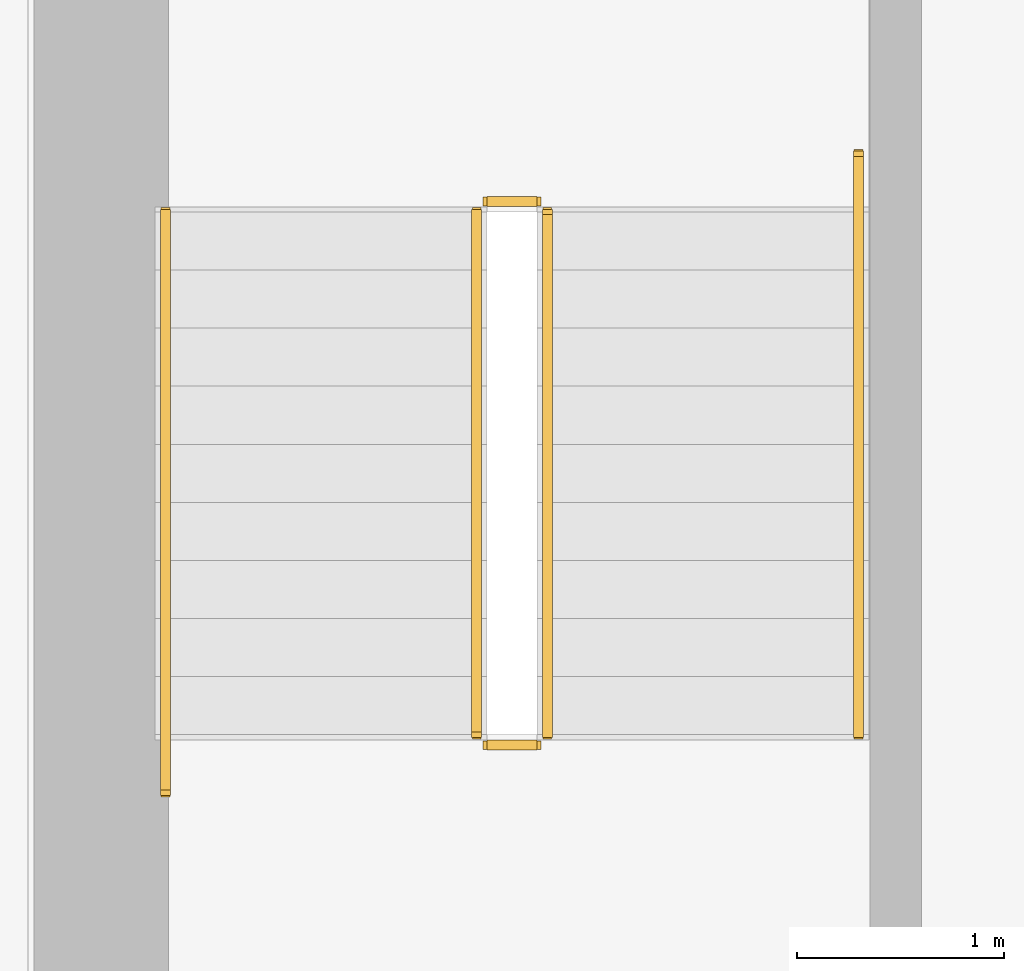
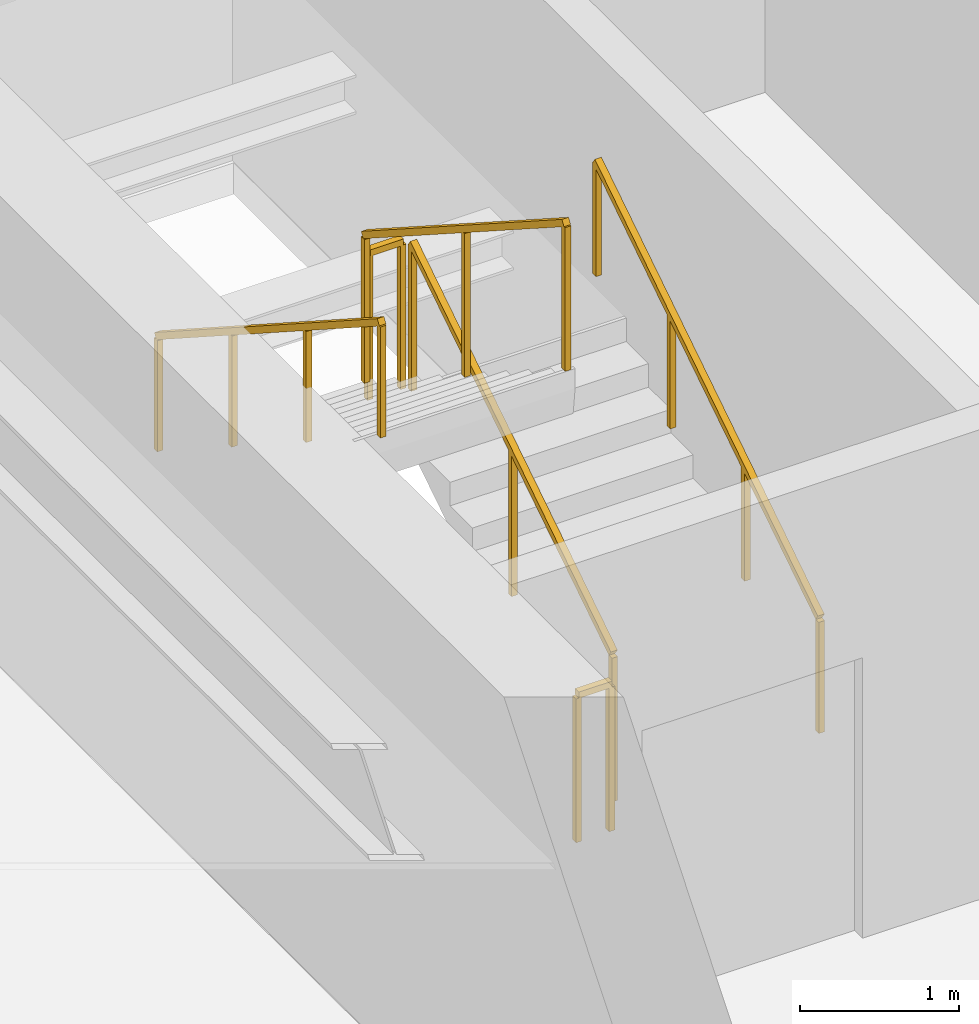
# One storey, part 31 of 34: 6 railings.
"""IFC4 building model written with IfcOpenShell, lengths in metres."""

import ifcopenshell
import ifcopenshell.guid

model = None  # the IFC model being written
_history = None  # IfcOwnerHistory: only IFC2X3 demands one
_inside = {}  # id of a spatial element -> (the spatial element, [elements in it])
_under = {}  # id of a project, library or spatial element -> (it, [spatial elements below it])
_declared = {}  # id of a project -> (the project, [libraries it declares])
_typed = {}  # id of a type object -> (the type object, [elements of that type])
_made_of = {}  # id of a material, layer set ... -> (it, [elements and type objects made of it])


def new_model(schema):
    """Start an empty IFC model of exactly this schema.

    Asked for "IFC4X3", IfcOpenShell would pick the latest addendum, in which some entities
    have other attributes; the version numbers below select the first issue.
    IFC2X3 requires an IfcOwnerHistory on every rooted entity: one is made here for all.
    """
    global model, _history
    if schema == "IFC4X3":
        model = ifcopenshell.file(schema_version=(4, 3, 0, 0))
    else:
        model = ifcopenshell.file(schema=schema)
    _inside.clear()
    _under.clear()
    _declared.clear()
    _typed.clear()
    _made_of.clear()
    _history = None
    if model.schema == "IFC2X3":
        org = make("IfcOrganization", Name="unknown")
        user = make(
            "IfcPersonAndOrganization",
            ThePerson=make("IfcPerson", FamilyName="unknown"),
            TheOrganization=org,
        )
        app = make(
            "IfcApplication",
            ApplicationDeveloper=org,
            Version="unknown",
            ApplicationFullName="unknown",
            ApplicationIdentifier="unknown",
        )
        _history = make(
            "IfcOwnerHistory",
            OwningUser=user,
            OwningApplication=app,
            ChangeAction="ADDED",
            CreationDate=0,
        )
    return model


def make(cls, **values):
    """One entity of the class cls with the attributes given. An attribute that is None is left unset."""
    return model.create_entity(
        cls, **{name: value for name, value in values.items() if value is not None}
    )


def rooted(cls, **values):
    """An entity with a GlobalId (a new one), such as an element, a storey or a relation."""
    return make(cls, GlobalId=ifcopenshell.guid.new(), OwnerHistory=_history, **values)


def si_unit(unit_type, name, prefix=None):
    """IfcSIUnit, for example si_unit("LENGTHUNIT", "METRE", prefix="MILLI")."""
    return make("IfcSIUnit", UnitType=unit_type, Prefix=prefix, Name=name)


def assignment(units):
    """IfcUnitAssignment: the units of a project."""
    return None if units is None else make("IfcUnitAssignment", Units=units)


def point(xyz):
    """IfcCartesianPoint."""
    return None if xyz is None else make("IfcCartesianPoint", Coordinates=xyz)


def direction(xyz):
    """IfcDirection."""
    return None if xyz is None else make("IfcDirection", DirectionRatios=xyz)


def frame(location, z_axis=None, x_axis=None):
    """IfcAxis2Placement3D, a coordinate frame: its origin and axes. An axis left out is left unset."""
    return make(
        "IfcAxis2Placement3D",
        Location=point(location),
        Axis=direction(z_axis),
        RefDirection=direction(x_axis),
    )


def frame_2d(location, x_axis=None):
    """IfcAxis2Placement2D, a coordinate frame in the plane: its origin and x axis."""
    return make(
        "IfcAxis2Placement2D", Location=point(location), RefDirection=direction(x_axis)
    )


def origin():
    """The frame at (0, 0, 0) with its axes left unset."""
    return frame((0.0, 0.0, 0.0))


def origin_2d():
    """The frame at (0, 0) in the plane with its x axis left unset."""
    return frame_2d((0.0, 0.0))


def place(relative_to, where):
    """IfcLocalPlacement: puts the frame where relative to a parent placement (None: the world)."""
    return make(
        "IfcLocalPlacement", PlacementRelTo=relative_to, RelativePlacement=where
    )


def context(
    kind, dimensions, precision=None, world=None, true_north=None, identifier=None
):
    """IfcGeometricRepresentationContext, for example the 3D "Model" context."""
    return make(
        "IfcGeometricRepresentationContext",
        ContextIdentifier=identifier,
        ContextType=kind,
        CoordinateSpaceDimension=dimensions,
        Precision=precision,
        WorldCoordinateSystem=world,
        TrueNorth=true_north,
    )


def subcontext(parent, identifier, kind, view, scale=None):
    """IfcGeometricRepresentationSubContext, for example "Body" below "Model"."""
    return make(
        "IfcGeometricRepresentationSubContext",
        ContextIdentifier=identifier,
        ContextType=kind,
        ParentContext=parent,
        TargetScale=scale,
        TargetView=view,
    )


def project(units=None, contexts=None):
    """IfcProject with its units and contexts."""
    return rooted(
        "IfcProject",
        Name="project",
        RepresentationContexts=contexts,
        UnitsInContext=assignment(units),
    )


def spatial(cls, under=None, at=None, **own):
    """A site, building, storey or space (cls), placed at a placement, below another one or the project."""
    s = rooted(cls, ObjectPlacement=at, **own)
    if under is not None:
        _under.setdefault(under.id(), (under, []))[1].append(s)
    return s


def profile(cls, at=None, kind="AREA", **sizes):
    """A parametric profile (cls). Its sizes go by their IFC names, for example OverallWidth=200.0."""
    return make(cls, ProfileType=kind, Position=at, **sizes)


def rectangle(**sizes):
    """IfcRectangleProfileDef."""
    return profile("IfcRectangleProfileDef", **sizes)


def extrude(swept, where, along, depth):
    """IfcExtrudedAreaSolid: the profile swept, set in the frame where, extruded along a direction by depth."""
    return make(
        "IfcExtrudedAreaSolid",
        SweptArea=swept,
        Position=where,
        ExtrudedDirection=direction(along),
        Depth=depth,
    )


def shape(context_of_items, identifier, shape_type, items):
    """IfcShapeRepresentation: the items that make up one representation, for example the "Body"."""
    return make(
        "IfcShapeRepresentation",
        ContextOfItems=context_of_items,
        RepresentationIdentifier=identifier,
        RepresentationType=shape_type,
        Items=items,
    )


def material(Name=None, Category=None):
    """IfcMaterial."""
    return make("IfcMaterial", Name=Name, Category=Category)


def made_of(thing, what):
    """Note that an element or type object is made of a material, layer set ...; save() writes the relation."""
    if what is not None:
        _made_of.setdefault(what.id(), (what, []))[1].append(thing)
    return thing


def type_object(cls, material=None, **own):
    """A type object (cls), such as IfcWallType, which elements share."""
    return made_of(rooted(cls, **own), material)


def element(
    cls,
    number,
    at=None,
    inside=None,
    cuts=None,
    type_object=None,
    material=None,
    context=None,
    identifier="Body",
    shape_type=None,
    held_by="IfcProductDefinitionShape",
    body=None,
    shapes=None,
    **own,
):
    """One element of the class cls, such as IfcWall. Its Tag is "e" and its number.

    at: its placement. inside: the storey or other place that contains it. cuts: it is an
    opening in that element (IfcRelVoidsElement). A single representation is given by context,
    identifier, shape_type and body (its items); several are given by shapes. held_by: the class
    of the entity that holds the representations. save() writes the other relations.
    """
    e = rooted(cls, Tag="e%d" % number, ObjectPlacement=at, **own)
    if body is not None:
        shapes = [shape(context, identifier, shape_type, body)]
    if shapes is not None:
        e.Representation = make(held_by, Representations=shapes)
    if inside is not None:
        _inside.setdefault(inside.id(), (inside, []))[1].append(e)
    if cuts is not None:
        rooted(
            "IfcRelVoidsElement", RelatingBuildingElement=cuts, RelatedOpeningElement=e
        )
    if type_object is not None:
        _typed.setdefault(type_object.id(), (type_object, []))[1].append(e)
    return made_of(e, material)


def aggregate(whole, parts):
    """IfcRelAggregates: a whole, such as a stair, and the parts it consists of."""
    return rooted("IfcRelAggregates", RelatingObject=whole, RelatedObjects=parts)


def save(model, path):
    """Write the relations noted so far, then the file.

    IfcRelAggregates (storeys below a building ...), IfcRelContainedInSpatialStructure (elements
    in a storey), IfcRelDefinesByType, IfcRelAssociatesMaterial and IfcRelDeclares: one each for
    every whole, place, type object, material and project.
    """
    for whole, parts in _under.values():
        aggregate(whole, parts)
    for where, things in _inside.values():
        rooted(
            "IfcRelContainedInSpatialStructure",
            RelatedElements=things,
            RelatingStructure=where,
        )
    for kind, things in _typed.values():
        rooted("IfcRelDefinesByType", RelatedObjects=things, RelatingType=kind)
    for what, things in _made_of.values():
        rooted("IfcRelAssociatesMaterial", RelatedObjects=things, RelatingMaterial=what)
    for by, libraries in _declared.values():
        rooted("IfcRelDeclares", RelatingContext=by, RelatedDefinitions=libraries)
    model.write(path)


model = new_model("IFC4")

# Units and contexts
model_context = context("Model", 3, precision=1e-05, world=origin(), true_north=direction((0.0, 1.0)))
body_context = subcontext(model_context, "Body", "Model", "MODEL_VIEW")
ifc_project = project(units=[si_unit("LENGTHUNIT", "METRE"), si_unit("AREAUNIT", "SQUARE_METRE"), si_unit("VOLUMEUNIT", "CUBIC_METRE"), si_unit("PLANEANGLEUNIT", "RADIAN"), si_unit("MASSUNIT", "GRAM", prefix="KILO")], contexts=[model_context])

# Site, building, storey
site_placement = place(None, origin())
site = spatial("IfcSite", under=ifc_project, at=site_placement, CompositionType="ELEMENT")
building_placement = place(site_placement, origin())
building = spatial("IfcBuilding", under=site, at=building_placement, Name="Sumidabori Civic Tower", CompositionType="ELEMENT")
storey_placement = place(building_placement, frame((0.0, 0.0, 106.39990234375)))
storey = spatial("IfcBuildingStorey", under=building, at=storey_placement, Name="L27", CompositionType="ELEMENT", Elevation=106.39990234375)

# Railings
ifc_material_1 = material(Name="Stainless Steel Hairline Finish", Category="steel")
railing_type_1 = type_object("IfcRailingType", Name="RL-HANDRAIL", PredefinedType="HANDRAIL", material=ifc_material_1)
railing_1_placement = place(storey_placement, frame((-11.949951171875, 16.0, 0.18017578125)))
element("IfcRailing", 1, at=railing_1_placement, inside=storey, type_object=railing_type_1, Name="L27 ST-1 stair handrail 1", PredefinedType="HANDRAIL", context=body_context, shape_type="SweptSolid", body=[
    extrude(rectangle(XDim=0.048095703125, YDim=0.048095703125, at=origin_2d()), frame((0.0, 0.0, 0.8759765625), z_axis=(0.0, 0.840675598268, 0.541539046124), x_axis=(-1.0, 0.0, 0.0)), (0.0, 0.0, 1.0), 3.330810546875),
    extrude(rectangle(XDim=0.0419921875, YDim=0.0419921875, at=origin_2d()), origin(), (0.0, 0.0, 1.0), 0.851806640625),
    extrude(rectangle(XDim=0.0419921875, YDim=0.0419921875, at=origin_2d()), frame((0.0, 0.933349609375, 0.601318359375)), (0.0, 0.0, 1.0), 0.851806640625),
    extrude(rectangle(XDim=0.0419921875, YDim=0.0419921875, at=origin_2d()), frame((0.0, 1.86669921875, 1.202392578125)), (0.0, 0.0, 1.0), 0.851806640625),
    extrude(rectangle(XDim=0.0419921875, YDim=0.0419921875, at=origin_2d()), frame((0.0, 2.800048828125, 1.8037109375)), (0.0, 0.0, 1.0), 0.851806640625),
])
railing_2_placement = place(storey_placement, frame((-15.2900390625, 18.52001953125, 1.97998046875)))
element("IfcRailing", 2, at=railing_2_placement, inside=storey, type_object=railing_type_1, Name="L27 ST-1 stair handrail 2", PredefinedType="HANDRAIL", context=body_context, shape_type="SweptSolid", body=[
    extrude(rectangle(XDim=0.048095703125, YDim=0.048095703125, at=origin_2d()), frame((0.0, 0.0, 0.8759765625), z_axis=(0.0, -0.84064222762, 0.54159084662), x_axis=(1.0, 0.0, 0.0)), (0.0, 0.0, 1.0), 3.330810546875),
    extrude(rectangle(XDim=0.0419921875, YDim=0.0419921875, at=origin_2d()), origin(), (0.0, 0.0, 1.0), 0.851806640625),
    extrude(rectangle(XDim=0.0419921875, YDim=0.0419921875, at=origin_2d()), frame((0.0, -0.933349609375, 0.601318359375)), (0.0, 0.0, 1.0), 0.851806640625),
    extrude(rectangle(XDim=0.0419921875, YDim=0.0419921875, at=origin_2d()), frame((0.0, -1.86669921875, 1.20263671875)), (0.0, 0.0, 1.0), 0.851806640625),
    extrude(rectangle(XDim=0.0419921875, YDim=0.0419921875, at=origin_2d()), frame((0.0, -2.800048828125, 1.803955078125)), (0.0, 0.0, 1.0), 0.851806640625),
])
ifc_material_2 = material(Name="Steel SN490", Category="steel")
railing_type_2 = type_object("IfcRailingType", Name="RL-STAIR-GUARD", PredefinedType="GUARDRAIL", material=ifc_material_2)
railing_3_placement = place(storey_placement, frame((-13.449951171875, 16.0, 0.18017578125)))
element("IfcRailing", 3, at=railing_3_placement, inside=storey, type_object=railing_type_2, Name="L27 ST-1 stair guard 1", PredefinedType="GUARDRAIL", context=body_context, shape_type="SweptSolid", body=[
    extrude(rectangle(XDim=0.048095703125, YDim=0.048095703125, at=origin_2d()), frame((0.0, 0.0, 1.1259765625), z_axis=(0.0, 0.841199657755, 0.540724639528), x_axis=(-1.0, 0.0, 0.0)), (0.0, 0.0, 1.0), 2.995849609375),
    extrude(rectangle(XDim=0.0419921875, YDim=0.0419921875, at=origin_2d()), origin(), (0.0, 0.0, 1.0), 1.101806640625),
    extrude(rectangle(XDim=0.0419921875, YDim=0.0419921875, at=origin_2d()), frame((0.0, 1.260009765625, 0.81005859375)), (0.0, 0.0, 1.0), 1.101806640625),
    extrude(rectangle(XDim=0.0419921875, YDim=0.0419921875, at=origin_2d()), frame((0.0, 2.52001953125, 1.619873046875)), (0.0, 0.0, 1.0), 1.101806640625),
])
railing_4_placement = place(storey_placement, frame((-13.5, 18.570068359375, 1.800048828125)))
element("IfcRailing", 4, at=railing_4_placement, inside=storey, type_object=railing_type_2, Name="L27 ST-1 stair guard 2", PredefinedType="GUARDRAIL", context=body_context, shape_type="SweptSolid", body=[
    extrude(rectangle(XDim=0.048095703125, YDim=0.048095703125, at=origin_2d()), frame((0.0, 0.0, 1.1259765625), z_axis=(-1.0, 0.0, 0.0), x_axis=(0.0, -1.0, 0.0)), (0.0, 0.0, 1.0), 0.239990234375),
    extrude(rectangle(XDim=0.0419921875, YDim=0.0419921875, at=origin_2d()), origin(), (0.0, 0.0, 1.0), 1.101806640625),
    extrude(rectangle(XDim=0.0419921875, YDim=0.0419921875, at=origin_2d()), frame((-0.239990234375, 0.0, 0.0)), (0.0, 0.0, 1.0), 1.101806640625),
])
railing_5_placement = place(storey_placement, frame((-13.7900390625, 18.52001953125, 1.97998046875)))
element("IfcRailing", 5, at=railing_5_placement, inside=storey, type_object=railing_type_2, Name="L27 ST-1 stair guard 3", PredefinedType="GUARDRAIL", context=body_context, shape_type="SweptSolid", body=[
    extrude(rectangle(XDim=0.048095703125, YDim=0.048095703125, at=origin_2d()), frame((0.0, 0.0, 1.1259765625), z_axis=(0.0, -0.841162588446, 0.540782303519), x_axis=(1.0, 0.0, 0.0)), (0.0, 0.0, 1.0), 2.995849609375),
    extrude(rectangle(XDim=0.0419921875, YDim=0.0419921875, at=origin_2d()), origin(), (0.0, 0.0, 1.0), 1.101806640625),
    extrude(rectangle(XDim=0.0419921875, YDim=0.0419921875, at=origin_2d()), frame((0.0, -1.260009765625, 0.81005859375)), (0.0, 0.0, 1.0), 1.101806640625),
    extrude(rectangle(XDim=0.0419921875, YDim=0.0419921875, at=origin_2d()), frame((0.0, -2.52001953125, 1.6201171875)), (0.0, 0.0, 1.0), 1.101806640625),
])
railing_6_placement = place(storey_placement, frame((-13.5, 15.949951171875, 0.0)))
element("IfcRailing", 6, at=railing_6_placement, inside=storey, type_object=railing_type_2, Name="L27 ST-1 stair guard 4", PredefinedType="GUARDRAIL", context=body_context, shape_type="SweptSolid", body=[
    extrude(rectangle(XDim=0.048095703125, YDim=0.048095703125, at=origin_2d()), frame((0.0, 0.0, 1.1259765625), z_axis=(-1.0, 0.0, 0.0), x_axis=(0.0, -1.0, 0.0)), (0.0, 0.0, 1.0), 0.239990234375),
    extrude(rectangle(XDim=0.0419921875, YDim=0.0419921875, at=origin_2d()), origin(), (0.0, 0.0, 1.0), 1.101806640625),
    extrude(rectangle(XDim=0.0419921875, YDim=0.0419921875, at=origin_2d()), frame((-0.239990234375, 0.0, 0.0)), (0.0, 0.0, 1.0), 1.101806640625),
])

save(model, "model.ifc")
